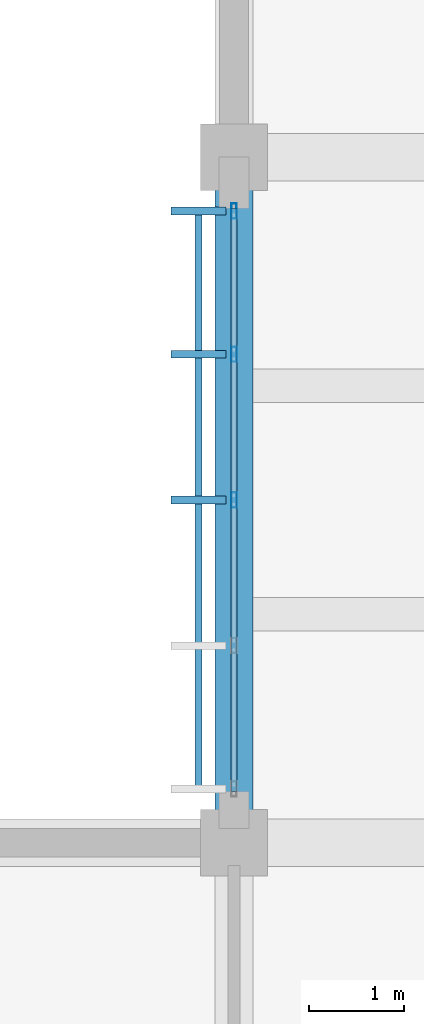
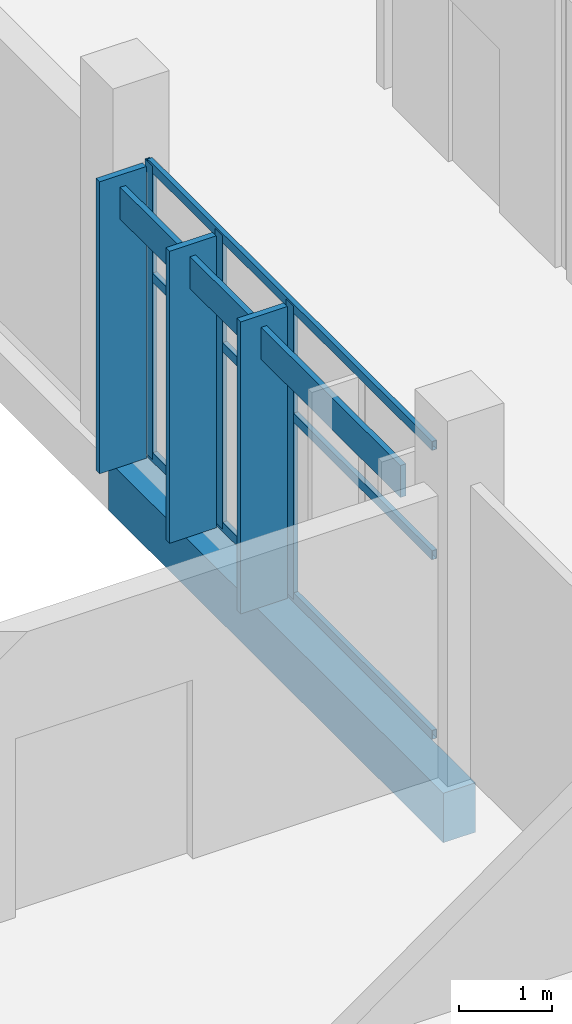
# One storey, part 75 of 151: 10 members, 1 beam, 1 element without a shape of its own.
"""IFC4 building model written with IfcOpenShell, lengths in metres."""

from ifc_helpers import new_model, si_unit, direction, frame, origin, origin_2d, place, context, subcontext, project, spatial, rectangle, hollow_rectangle, extrude, material, material_profile, profile_set, type_object, element, aggregate, save


model = new_model("IFC4")

# Units and contexts
model_context = context("Model", 3, precision=1e-05, world=origin(), true_north=direction((0.0, 1.0)))
body_context = subcontext(model_context, "Body", "Model", "MODEL_VIEW")
ifc_project = project(units=[si_unit("LENGTHUNIT", "METRE"), si_unit("AREAUNIT", "SQUARE_METRE"), si_unit("VOLUMEUNIT", "CUBIC_METRE"), si_unit("PLANEANGLEUNIT", "RADIAN"), si_unit("MASSUNIT", "GRAM", prefix="KILO")], contexts=[model_context])

# Site, building, storey
site_placement = place(None, origin())
site = spatial("IfcSite", under=ifc_project, at=site_placement, CompositionType="ELEMENT")
building_placement = place(site_placement, origin())
building = spatial("IfcBuilding", under=site, at=building_placement, Name="Chiffa Square Polytechnic", CompositionType="ELEMENT")
storey_placement = place(building_placement, origin())
storey = spatial("IfcBuildingStorey", under=building, at=storey_placement, Name="L00", CompositionType="ELEMENT", Elevation=0.0)

# Beam
ifc_material_1 = material(Name="Concrete C35/45", Category="concrete")
ifc_material_profile_1 = material_profile(ifc_material_1, rectangle(XDim=0.39990234375, YDim=0.64990234375, at=origin_2d()), Name="RC 400x650")
ifc_profile_set_1 = profile_set([ifc_material_profile_1], Name="Concrete C35/45")
beam_type = type_object("IfcBeamType", Name="BM-RC-400X650", PredefinedType="BEAM", material=ifc_profile_set_1)
beam_placement = place(storey_placement, frame((148.199951171875, 28.800048828125, -0.675048828125), z_axis=(0.0, 1.0, 0.0), x_axis=(-1.0, 0.0, 0.0)))
element("IfcBeam", 1, at=beam_placement, inside=storey, type_object=beam_type, Name="Primary floor girder BM-V1-L00-Y-1482-0288", PredefinedType="BEAM", context=body_context, shape_type="SweptSolid", body=[
    extrude(rectangle(XDim=0.39990234375, YDim=0.64990234375, at=origin_2d()), origin(), (0.0, 0.0, 1.0), 7.199951171875),
])

# Curtain wall, members
ifc_material_2 = material(Name="Aluminium EN AW-6060 T66 and glulam shading", Category="wood")
curtain_wall_type = type_object("IfcCurtainWallType", Name="CW-VERT-480X380", PredefinedType="USERDEFINED", material=ifc_material_2)
curtain_wall_placement = place(storey_placement, origin())
curtain_wall = element("IfcCurtainWall", 2, at=curtain_wall_placement, inside=storey, type_object=curtain_wall_type, Name="Curtain wall CW-V1-L00-126", ObjectType="CURTAIN WALL", PredefinedType="USERDEFINED")
ifc_material_3 = material(Name="Aluminium EN AW-6060 T66", Category="aluminium")
ifc_material_profile_2 = material_profile(ifc_material_3, hollow_rectangle(XDim=0.06005859375, YDim=0.159912109375, WallThickness=0.00390625, at=origin_2d()), Name="ALU 60x160x4")
ifc_profile_set_2 = profile_set([ifc_material_profile_2], Name="Aluminium EN AW-6060 T66")
member_type_1 = type_object("IfcMemberType", Name="CWM-ALU-65X150", PredefinedType="MULLION", material=ifc_profile_set_2)
member_1_placement = place(storey_placement, frame((148.199951171875, 35.43505859375, 0.0), z_axis=(0.0, 0.0, 1.0), x_axis=(1.0, 0.0, 0.0)))
member_1 = element("IfcMember", 3, at=member_1_placement, type_object=member_type_1, Name="Curtain wall mullion CW-V1-L00-126-M00", PredefinedType="MULLION", context=body_context, shape_type="SweptSolid", body=[
    extrude(hollow_rectangle(XDim=0.06005859375, YDim=0.159912109375, WallThickness=0.00390625, at=origin_2d()), origin(), (0.0, 0.0, 1.0), 3.85498046875),
])
member_2_placement = place(storey_placement, frame((148.199951171875, 33.929931640625, 0.0), z_axis=(0.0, 0.0, 1.0), x_axis=(1.0, 0.0, 0.0)))
member_2 = element("IfcMember", 4, at=member_2_placement, type_object=member_type_1, Name="Curtain wall mullion CW-V1-L00-126-M01", PredefinedType="MULLION", context=body_context, shape_type="SweptSolid", body=[
    extrude(hollow_rectangle(XDim=0.06005859375, YDim=0.159912109375, WallThickness=0.00390625, at=origin_2d()), origin(), (0.0, 0.0, 1.0), 3.85498046875),
])
member_3_placement = place(storey_placement, frame((148.199951171875, 32.39990234375, 0.0), z_axis=(0.0, 0.0, 1.0), x_axis=(1.0, 0.0, 0.0)))
member_3 = element("IfcMember", 5, at=member_3_placement, type_object=member_type_1, Name="Curtain wall mullion CW-V1-L00-126-M02", PredefinedType="MULLION", context=body_context, shape_type="SweptSolid", body=[
    extrude(hollow_rectangle(XDim=0.06005859375, YDim=0.159912109375, WallThickness=0.00390625, at=origin_2d()), origin(), (0.0, 0.0, 1.0), 3.85498046875),
])
ifc_material_4 = material(Name="Glulam GL28h", Category="wood")
ifc_material_profile_3 = material_profile(ifc_material_4, rectangle(XDim=0.080078125, YDim=0.580078125, at=origin_2d()), Name="GL28h 80x580")
ifc_profile_set_3 = profile_set([ifc_material_profile_3], Name="Glulam GL28h")
member_type_2 = type_object("IfcMemberType", Name="CWM-GL-80X580", PredefinedType="MULLION", material=ifc_profile_set_3)
member_4_placement = place(storey_placement, frame((147.827880859375, 35.43505859375, 0.010009765625), z_axis=(0.0, 0.0, 1.0), x_axis=(0.0, -1.0, 0.0)))
member_4 = element("IfcMember", 6, at=member_4_placement, type_object=member_type_2, Name="Exterior glulam solar fin CW-V1-L00-126-FN00", PredefinedType="MULLION", context=body_context, shape_type="SweptSolid", body=[
    extrude(rectangle(XDim=0.080078125, YDim=0.580078125, at=origin_2d()), origin(), (0.0, 0.0, 1.0), 3.8349609375),
])
member_5_placement = place(storey_placement, frame((147.827880859375, 33.929931640625, 0.010009765625), z_axis=(0.0, 0.0, 1.0), x_axis=(0.0, -1.0, 0.0)))
member_5 = element("IfcMember", 7, at=member_5_placement, type_object=member_type_2, Name="Exterior glulam solar fin CW-V1-L00-126-FN01", PredefinedType="MULLION", context=body_context, shape_type="SweptSolid", body=[
    extrude(rectangle(XDim=0.080078125, YDim=0.580078125, at=origin_2d()), origin(), (0.0, 0.0, 1.0), 3.8349609375),
])
member_6_placement = place(storey_placement, frame((147.827880859375, 32.39990234375, 0.010009765625), z_axis=(0.0, 0.0, 1.0), x_axis=(0.0, -1.0, 0.0)))
member_6 = element("IfcMember", 8, at=member_6_placement, type_object=member_type_2, Name="Exterior glulam solar fin CW-V1-L00-126-FN02", PredefinedType="MULLION", context=body_context, shape_type="SweptSolid", body=[
    extrude(rectangle(XDim=0.080078125, YDim=0.580078125, at=origin_2d()), origin(), (0.0, 0.0, 1.0), 3.8349609375),
])
ifc_material_profile_4 = material_profile(ifc_material_3, hollow_rectangle(XDim=0.06005859375, YDim=0.1201171875, WallThickness=0.00390625, at=origin_2d()), Name="ALU 60x120x4")
ifc_profile_set_4 = profile_set([ifc_material_profile_4], Name="Aluminium EN AW-6060 T66")
member_type_3 = type_object("IfcMemberType", Name="CWT-ALU-65X120", PredefinedType="USERDEFINED", material=ifc_profile_set_4)
member_7_placement = place(storey_placement, frame((148.199951171875, 35.4619140625, 0.030029296875), z_axis=(0.0, -1.0, 0.0), x_axis=(1.0, 0.0, 0.0)))
member_7 = element("IfcMember", 9, at=member_7_placement, type_object=member_type_3, Name="Curtain wall transom CW-V1-L00-126-T01", ObjectType="TRANSOM", PredefinedType="USERDEFINED", context=body_context, shape_type="SweptSolid", body=[
    extrude(hollow_rectangle(XDim=0.06005859375, YDim=0.1201171875, WallThickness=0.00390625, at=origin_2d()), origin(), (0.0, 0.0, 1.0), 6.1240234375),
])
member_8_placement = place(storey_placement, frame((148.199951171875, 35.4619140625, 2.389892578125), z_axis=(0.0, -1.0, 0.0), x_axis=(1.0, 0.0, 0.0)))
member_8 = element("IfcMember", 10, at=member_8_placement, type_object=member_type_3, Name="Curtain wall transom CW-V1-L00-126-T02", ObjectType="TRANSOM", PredefinedType="USERDEFINED", context=body_context, shape_type="SweptSolid", body=[
    extrude(hollow_rectangle(XDim=0.06005859375, YDim=0.1201171875, WallThickness=0.00390625, at=origin_2d()), origin(), (0.0, 0.0, 1.0), 6.1240234375),
])
member_9_placement = place(storey_placement, frame((148.199951171875, 35.4619140625, 3.824951171875), z_axis=(0.0, -1.0, 0.0), x_axis=(1.0, 0.0, 0.0)))
member_9 = element("IfcMember", 11, at=member_9_placement, type_object=member_type_3, Name="Curtain wall transom CW-V1-L00-126-T03", ObjectType="TRANSOM", PredefinedType="USERDEFINED", context=body_context, shape_type="SweptSolid", body=[
    extrude(hollow_rectangle(XDim=0.06005859375, YDim=0.1201171875, WallThickness=0.00390625, at=origin_2d()), origin(), (0.0, 0.0, 1.0), 6.1240234375),
])
ifc_material_profile_5 = material_profile(ifc_material_4, rectangle(XDim=0.070068359375, YDim=0.419921875, at=origin_2d()), Name="GL28h 70x420")
ifc_profile_set_5 = profile_set([ifc_material_profile_5], Name="Glulam GL28h")
member_type_4 = type_object("IfcMemberType", Name="CWT-GL-70X420", PredefinedType="USERDEFINED", material=ifc_profile_set_5)
member_10_placement = place(storey_placement, frame((147.827880859375, 35.43505859375, 3.47509765625), z_axis=(0.0, -1.0, 0.0), x_axis=(1.0, 0.0, 0.0)))
member_10 = element("IfcMember", 12, at=member_10_placement, type_object=member_type_4, Name="Exterior glulam brise-soleil CW-V1-L00-126-BS01", ObjectType="TRANSOM", PredefinedType="USERDEFINED", context=body_context, shape_type="SweptSolid", body=[
    extrude(rectangle(XDim=0.070068359375, YDim=0.419921875, at=origin_2d()), origin(), (0.0, 0.0, 1.0), 6.070068359375),
])
aggregate(curtain_wall, [member_1, member_4, member_2, member_5, member_3, member_6, member_7, member_8, member_9, member_10])

save(model, "model.ifc")
